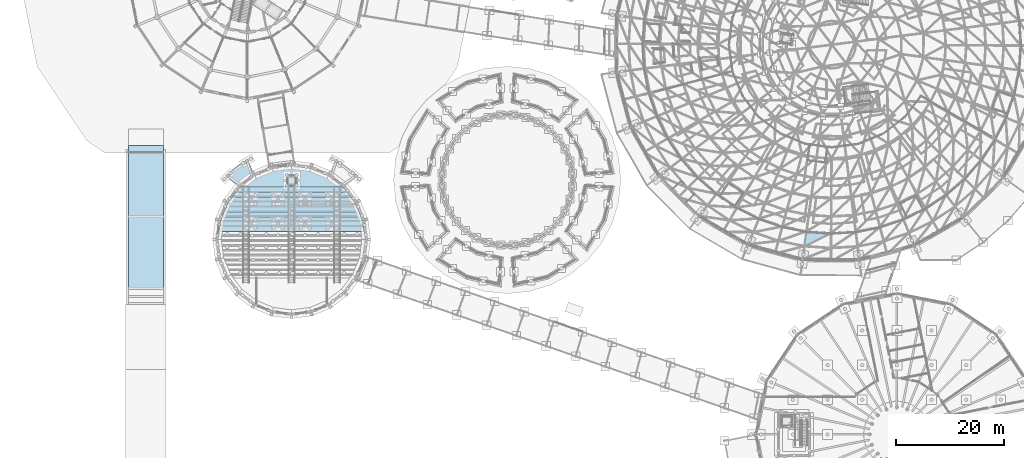
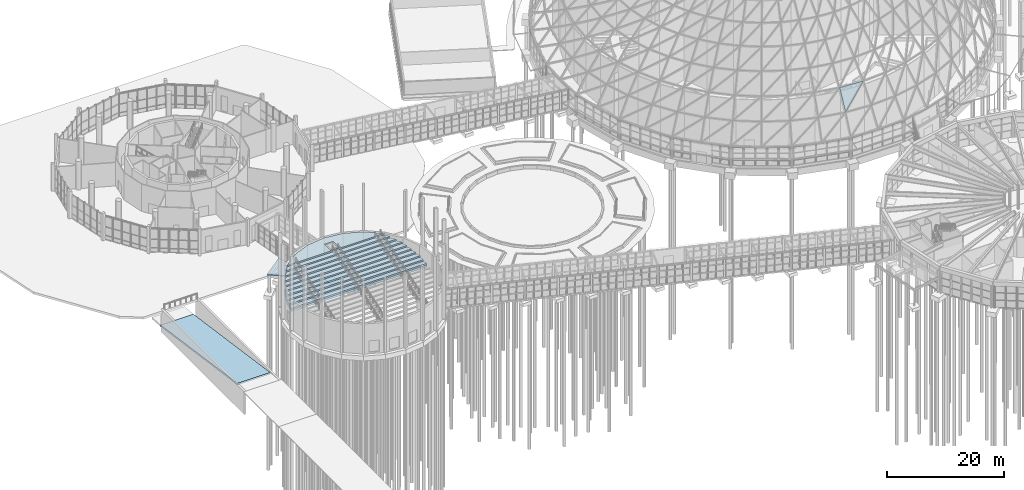
# One storey, part 128 of 226: 14 slabs, 1 plate.
"""IFC4 building model written with IfcOpenShell, lengths in metres."""

from ifc_helpers import new_model, si_unit, direction, frame, origin, place, context, subcontext, project, spatial, polyline, outline, extrude, material, layer, layer_set, type_object, element, save


model = new_model("IFC4")

# Units and contexts
model_context = context("Model", 3, precision=1e-05, world=origin(), true_north=direction((0.0, 1.0)))
body_context = subcontext(model_context, "Body", "Model", "MODEL_VIEW")
ifc_project = project(units=[si_unit("LENGTHUNIT", "METRE"), si_unit("AREAUNIT", "SQUARE_METRE"), si_unit("VOLUMEUNIT", "CUBIC_METRE"), si_unit("PLANEANGLEUNIT", "RADIAN"), si_unit("MASSUNIT", "GRAM", prefix="KILO")], contexts=[model_context])

# Site, building, storey
site_placement = place(None, origin())
site = spatial("IfcSite", under=ifc_project, at=site_placement, CompositionType="ELEMENT")
building_placement = place(site_placement, origin())
building = spatial("IfcBuilding", under=site, at=building_placement, Name="Ceibo Conservatory and Research Tower", CompositionType="ELEMENT")
storey_placement = place(building_placement, origin())
storey = spatial("IfcBuildingStorey", under=building, at=storey_placement, Name="L00", CompositionType="ELEMENT", Elevation=0.0)

# Plate
ifc_material_1 = material(Name="Laminated glass", Category="glass")
ifc_layer_1 = layer(ifc_material_1, 0.035888671875)
ifc_layer_set_1 = layer_set([ifc_layer_1], Name="Laminated glass")
plate_type = type_object("IfcPlateType", Name="Gridshell roof glass 36", PredefinedType="SHEET", material=ifc_layer_set_1)
plate_placement = place(storey_placement, frame((150.912841796875, 70.6220703125, 8.23291015625), z_axis=(-0.054108575487, -0.772660529781, 0.632509262998), x_axis=(0.764020281407, 0.375810886491, 0.524441786277)))
element("IfcPlate", 1, at=plate_placement, inside=storey, type_object=plate_type, Name="Glass panel A-P02-070", PredefinedType="SHEET", context=body_context, shape_type="SweptSolid", body=[
    extrude(outline(polyline([(0.0, 0.0), (6.458690210962314, 4.440892098500626e-16), (3.0947228826932616, 3.0951306327440538), (0.0, 0.0)])), origin(), (0.0, 0.0, -1.0), 0.035888671875),
])

# Slabs
ifc_material_2 = material(Name="Concrete C35/45", Category="concrete")
ifc_layer_2 = layer(ifc_material_2, 0.199951171875)
ifc_layer_set_2 = layer_set([ifc_layer_2], Name="Concrete C35/45")
slab_type_1 = type_object("IfcSlabType", Name="RC entrance canopy 200", PredefinedType="ROOF", material=ifc_layer_set_2)
slab_1_placement = place(storey_placement, frame((0.0, 0.0, 3.60009765625)))
element("IfcSlab", 2, at=slab_1_placement, inside=storey, type_object=slab_type_1, Name="Entrance canopy F09", PredefinedType="ROOF", context=body_context, shape_type="SweptSolid", body=[
    extrude(outline(polyline([(49.18017578125, 84.124267578125), (46.280517578125, 81.8994140625), (43.819580078125, 83.79248046875), (47.988525390625, 86.991455078125), (49.18017578125, 84.124267578125)])), origin(), (0.0, 0.0, 1.0), 0.199951171875),
])
ifc_layer_3 = layer(ifc_material_2, 0.449951171875)
ifc_layer_set_3 = layer_set([ifc_layer_3], Name="Concrete C35/45")
slab_type_2 = type_object("IfcSlabType", Name="RC foyer transfer slab 450", PredefinedType="FLOOR", material=ifc_layer_set_3)
slab_2_placement = place(storey_placement, frame((0.0, 0.0, 2.550048828125)))
element("IfcSlab", 3, at=slab_2_placement, inside=storey, type_object=slab_type_2, Name="Foyer transfer slab", PredefinedType="FLOOR", context=body_context, shape_type="SweptSolid", body=[
    extrude(outline(polyline([(65.794189453125, 81.6142578125), (65.482421875, 81.853515625), (46.877685546875, 81.853515625), (46.56591796875, 81.6142578125), (44.405029296875, 78.79833984375), (43.046875, 75.51904296875), (42.781494140625, 73.50341796875), (69.57861328125, 73.50341796875), (69.313232421875, 75.51904296875), (67.955078125, 78.79833984375), (65.794189453125, 81.6142578125)])), origin(), (0.0, 0.0, 1.0), 0.449951171875),
])
ifc_layer_4 = layer(ifc_material_2, 0.25)
ifc_layer_set_4 = layer_set([ifc_layer_4], Name="Concrete C35/45")
slab_type_3 = type_object("IfcSlabType", Name="RC lift pit slab 250", PredefinedType="BASESLAB", material=ifc_layer_set_4)
slab_3_placement = place(storey_placement, frame((0.0, 0.0, -1.449951171875)))
element("IfcSlab", 4, at=slab_3_placement, inside=storey, type_object=slab_type_3, Name="Lift pit slab", PredefinedType="BASESLAB", context=body_context, shape_type="SweptSolid", body=[
    extrude(outline(polyline([(55.330078125, 81.89990234375), (57.030029296875, 81.89990234375), (57.030029296875, 83.89990234375), (55.330078125, 83.89990234375), (55.330078125, 81.89990234375)])), origin(), (0.0, 0.0, 1.0), 0.25),
])
ifc_layer_5 = layer(ifc_material_2, 0.35009765625)
ifc_layer_set_5 = layer_set([ifc_layer_5], Name="Concrete C35/45")
slab_type_4 = type_object("IfcSlabType", Name="RC ramp flight 350", PredefinedType="FLOOR", material=ifc_layer_set_5)
slab_4_placement = place(storey_placement, frame((26.0, 63.0, -0.21435546875), z_axis=(0.0, 0.14141494784, 0.989950409125), x_axis=(1.0, 0.0, 0.0)))
element("IfcSlab", 5, at=slab_4_placement, inside=storey, type_object=slab_type_4, Name="Vehicle ramp carriageway flight 2", PredefinedType="FLOOR", context=body_context, shape_type="SweptSolid", body=[
    extrude(outline(polyline([(0.0, 0.0), (6.5, 0.0), (6.5, 26.667903867100346), (0.0, 26.667903867100346), (0.0, 0.0)])), origin(), (0.0, 0.14141494784, -0.989950409125), 0.35009765625),
])
ifc_layer_6 = layer(ifc_material_2, 0.300048828125)
ifc_layer_set_6 = layer_set([ifc_layer_6], Name="Concrete C35/45")
slab_type_5 = type_object("IfcSlabType", Name="RC seating slab 300", PredefinedType="FLOOR", material=ifc_layer_set_6)
slab_5_placement = place(storey_placement, frame((0.0, 0.0, 3.0)))
element("IfcSlab", 6, at=slab_5_placement, inside=storey, type_object=slab_type_5, Name="Seating slab R10", PredefinedType="FLOOR", context=body_context, shape_type="SweptSolid", body=[
    extrude(outline(polyline([(69.57861328125, 73.50341796875), (69.460205078125, 74.403564453125), (42.89990234375, 74.403564453125), (42.781494140625, 73.50341796875), (69.57861328125, 73.50341796875)])), origin(), (0.0, 0.0, 1.0), 0.300048828125),
])
slab_6_placement = place(storey_placement, frame((0.0, 0.0, 3.300048828125)))
element("IfcSlab", 7, at=slab_6_placement, inside=storey, type_object=slab_type_5, Name="Seating slab R11", PredefinedType="FLOOR", context=body_context, shape_type="SweptSolid", body=[
    extrude(outline(polyline([(69.460205078125, 74.403564453125), (69.341796875, 75.303466796875), (43.0185546875, 75.303466796875), (42.89990234375, 74.403564453125), (69.460205078125, 74.403564453125)])), origin(), (0.0, 0.0, 1.0), 0.300048828125),
])
slab_7_placement = place(storey_placement, frame((0.0, 0.0, 3.60009765625)))
element("IfcSlab", 8, at=slab_7_placement, inside=storey, type_object=slab_type_5, Name="Seating slab R12", PredefinedType="FLOOR", context=body_context, shape_type="SweptSolid", body=[
    extrude(outline(polyline([(69.313232421875, 75.51904296875), (69.02978515625, 76.203369140625), (43.330322265625, 76.203369140625), (43.046875, 75.51904296875), (43.0185546875, 75.303466796875), (69.341796875, 75.303466796875), (69.313232421875, 75.51904296875)])), origin(), (0.0, 0.0, 1.0), 0.2998046875),
])
slab_8_placement = place(storey_placement, frame((0.0, 0.0, 3.89990234375)))
element("IfcSlab", 9, at=slab_8_placement, inside=storey, type_object=slab_type_5, Name="Seating slab R13", PredefinedType="FLOOR", context=body_context, shape_type="SweptSolid", body=[
    extrude(outline(polyline([(69.02978515625, 76.203369140625), (68.656982421875, 77.103515625), (43.703125, 77.103515625), (43.330322265625, 76.203369140625), (69.02978515625, 76.203369140625)])), origin(), (0.0, 0.0, 1.0), 0.300048828125),
])
slab_9_placement = place(storey_placement, frame((0.0, 0.0, 4.199951171875)))
element("IfcSlab", 10, at=slab_9_placement, inside=storey, type_object=slab_type_5, Name="Seating slab R14", PredefinedType="FLOOR", context=body_context, shape_type="SweptSolid", body=[
    extrude(outline(polyline([(68.656982421875, 77.103515625), (68.2841796875, 78.00341796875), (44.075927734375, 78.00341796875), (43.703125, 77.103515625), (68.656982421875, 77.103515625)])), origin(), (0.0, 0.0, 1.0), 0.300048828125),
])
slab_10_placement = place(storey_placement, frame((0.0, 0.0, 4.5)))
element("IfcSlab", 11, at=slab_10_placement, inside=storey, type_object=slab_type_5, Name="Seating slab R15", PredefinedType="FLOOR", context=body_context, shape_type="SweptSolid", body=[
    extrude(outline(polyline([(67.955078125, 78.79833984375), (67.874267578125, 78.903564453125), (44.48583984375, 78.903564453125), (44.405029296875, 78.79833984375), (44.075927734375, 78.00341796875), (68.2841796875, 78.00341796875), (67.955078125, 78.79833984375)])), origin(), (0.0, 0.0, 1.0), 0.300048828125),
])
slab_11_placement = place(storey_placement, frame((0.0, 0.0, 4.800048828125)))
element("IfcSlab", 12, at=slab_11_placement, inside=storey, type_object=slab_type_5, Name="Seating slab R16", PredefinedType="FLOOR", context=body_context, shape_type="SweptSolid", body=[
    extrude(outline(polyline([(67.874267578125, 78.903564453125), (67.183837890625, 79.803466796875), (45.176513671875, 79.803466796875), (44.48583984375, 78.903564453125), (67.874267578125, 78.903564453125)])), origin(), (0.0, 0.0, 1.0), 0.300048828125),
])
slab_12_placement = place(storey_placement, frame((0.0, 0.0, 5.10009765625)))
element("IfcSlab", 13, at=slab_12_placement, inside=storey, type_object=slab_type_5, Name="Seating slab R17", PredefinedType="FLOOR", context=body_context, shape_type="SweptSolid", body=[
    extrude(outline(polyline([(67.183837890625, 79.803466796875), (66.4931640625, 80.703369140625), (45.866943359375, 80.703369140625), (45.176513671875, 79.803466796875), (67.183837890625, 79.803466796875)])), origin(), (0.0, 0.0, 1.0), 0.2998046875),
])
slab_13_placement = place(storey_placement, frame((0.0, 0.0, 5.39990234375)))
element("IfcSlab", 14, at=slab_13_placement, inside=storey, type_object=slab_type_5, Name="Seating slab R18", PredefinedType="FLOOR", context=body_context, shape_type="SweptSolid", body=[
    extrude(outline(polyline([(66.4931640625, 80.703369140625), (65.802490234375, 81.603515625), (46.5576171875, 81.603515625), (45.866943359375, 80.703369140625), (66.4931640625, 80.703369140625)])), origin(), (0.0, 0.0, 1.0), 0.300048828125),
])
slab_14_placement = place(storey_placement, frame((0.0, 0.0, 5.699951171875)))
element("IfcSlab", 15, at=slab_14_placement, inside=storey, type_object=slab_type_5, Name="Rear gallery slab", PredefinedType="FLOOR", context=body_context, shape_type="SweptSolid", body=[
    extrude(outline(polyline([(59.69921875, 85.13330078125), (56.18017578125, 85.596435546875), (52.6611328125, 85.13330078125), (49.3818359375, 83.77490234375), (46.56591796875, 81.6142578125), (46.5576171875, 81.603515625), (65.802490234375, 81.603515625), (65.794189453125, 81.6142578125), (62.978271484375, 83.77490234375), (59.69921875, 85.13330078125)]), holes=[polyline([(55.330078125, 81.89990234375), (57.030029296875, 81.89990234375), (57.030029296875, 83.89990234375), (55.330078125, 83.89990234375), (55.330078125, 81.89990234375)])]), origin(), (0.0, 0.0, 1.0), 0.300048828125),
])

save(model, "model.ifc")
